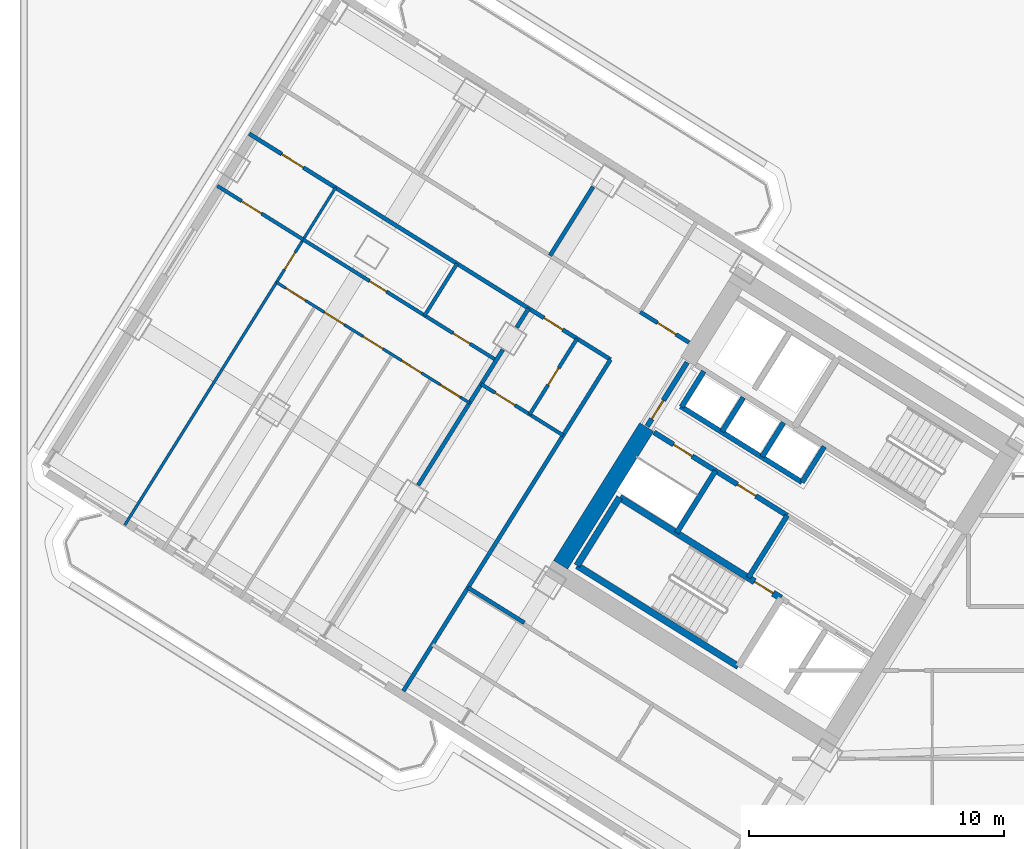
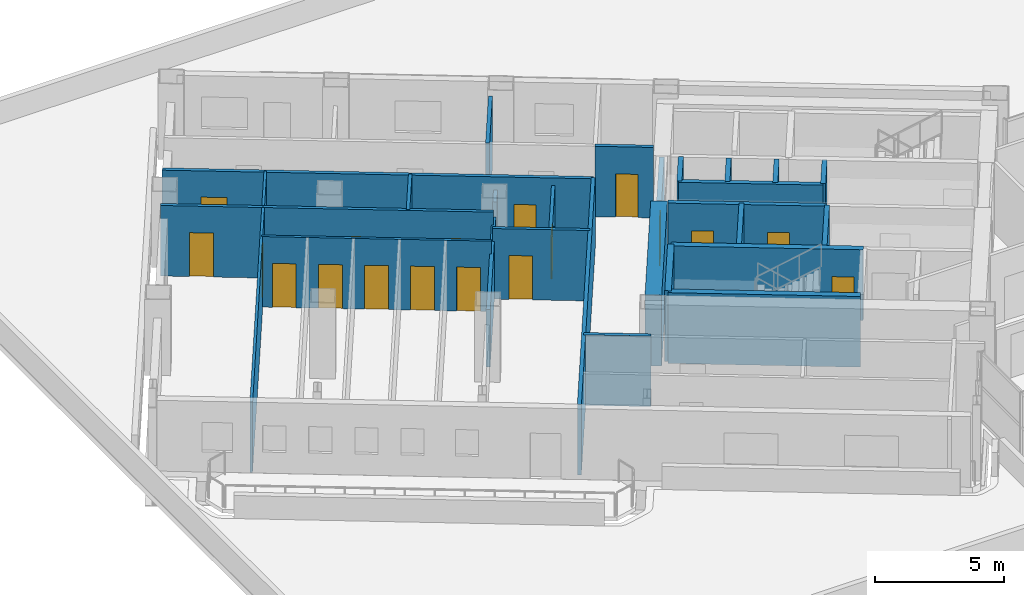
# One storey, part 16 of 28: 27 walls, 18 doors, 18 openings.
"""IFC4 building model written with IfcOpenShell, lengths in metres."""

from ifc_helpers import new_model, si_unit, direction, frame, frame_2d, origin, place, context, subcontext, project, spatial, rectangle, extrude, source, transform, mapped, material, layer, layer_set, type_object, element, fill, save


model = new_model("IFC4")

# Units and contexts
model_context = context("Model", 3, precision=1e-05, world=origin(), true_north=direction((0.0, 1.0)))
body_context = subcontext(model_context, "Body", "Model", "MODEL_VIEW")
ifc_project = project(units=[si_unit("LENGTHUNIT", "METRE"), si_unit("AREAUNIT", "SQUARE_METRE"), si_unit("VOLUMEUNIT", "CUBIC_METRE"), si_unit("PLANEANGLEUNIT", "RADIAN"), si_unit("MASSUNIT", "GRAM", prefix="KILO")], contexts=[model_context])

# Site, building, storey
site_placement = place(None, origin())
site = spatial("IfcSite", under=ifc_project, at=site_placement, CompositionType="ELEMENT")
building_placement = place(site_placement, origin())
building = spatial("IfcBuilding", under=site, at=building_placement, Name="Tlacorven Tower", CompositionType="ELEMENT")
storey_placement = place(building_placement, frame((0.0, 0.0, 24.0)))
storey = spatial("IfcBuildingStorey", under=building, at=storey_placement, Name="L05", CompositionType="ELEMENT", Elevation=24.0)

# Wall
ifc_material_1 = material(Name="Concrete C60/75", Category="concrete")
ifc_layer_1 = layer(ifc_material_1, 0.64990234375)
ifc_layer_set_1 = layer_set([ifc_layer_1], Name="Concrete C60/75")
wall_type_1 = type_object("IfcWallType", Name="WL-COR-650", PredefinedType="SHEAR", material=ifc_layer_set_1)
wall_1_placement = place(storey_placement, frame((26.006591796875, 24.975830078125, 0.0), z_axis=(0.0, 0.0, 1.0), x_axis=(-0.529916319127, -0.848049936456, 0.0)))
element("IfcWall", 1, at=wall_1_placement, inside=storey, type_object=wall_type_1, Name="L05 W core end wall E2.2", PredefinedType="SHEAR", context=body_context, shape_type="SweptSolid", body=[
    extrude(rectangle(XDim=6.375, YDim=0.64990234375, at=frame_2d((3.1875, 0.0))), origin(), (0.0, 0.0, 1.0), 3.35009765625),
])

# Wall, opening, door
ifc_material_2 = material(Name="Gypsum plasterboard acoustic partition", Category="gypsum")
ifc_layer_2 = layer(ifc_material_2, 0.159912109375)
ifc_layer_set_2 = layer_set([ifc_layer_2], Name="Gypsum plasterboard acoustic partition")
wall_type_2 = type_object("IfcWallType", Name="WL-DEM-160", PredefinedType="PARTITIONING", material=ifc_layer_set_2)
wall_2_placement = place(storey_placement, frame((27.668701171875, 28.300048828125, 0.0), z_axis=(0.0, 0.0, 1.0), x_axis=(-0.848040823168, 0.52993090327, 0.0)))
wall_2 = element("IfcWall", 2, at=wall_2_placement, inside=storey, type_object=wall_type_2, Name="L05 partition 47", PredefinedType="PARTITIONING", context=body_context, shape_type="SweptSolid", body=[
    extrude(rectangle(XDim=2.2578125, YDim=0.159912109375, at=frame_2d((1.12890625, 0.0))), origin(), (0.0, 0.0, 1.0), 3.340087890625),
])
opening_1_placement = place(wall_2_placement, frame((0.597900390625, 0.0, 0.0)))
opening_1 = element("IfcOpeningElement", 3, at=opening_1_placement, cuts=wall_2, Name="Opening D19", PredefinedType="OPENING", context=body_context, shape_type="SweptSolid", body=[
    extrude(rectangle(XDim=0.860107421875, YDim=2.050048828125, at=frame_2d((0.43017578125, 1.02490234375))), frame((0.0, 0.08984375, 0.0), z_axis=(0.0, -1.0, 0.0), x_axis=(1.0, 0.0, 0.0)), (0.0, 0.0, 1.0), 0.179931640625),
])
ifc_material_3 = material(Name="Fire-rated steel door assembly", Category="steel")
door_type_1 = type_object("IfcDoorType", Name="DR-RSR-FD60-0860", OperationType="NOTDEFINED", PredefinedType="DOOR", material=ifc_material_3)
shared_shape_1 = source(origin(), body_context, "Body", "SweptSolid", [
    extrude(rectangle(XDim=0.860107421875, YDim=2.050048828125, at=frame_2d((0.43017578125, 1.02490234375))), frame((0.0, 0.02490234375, 0.0), z_axis=(0.0, -1.0, 0.0), x_axis=(1.0, 0.0, 0.0)), (0.0, 0.0, 1.0), 0.050048828125),
])
door_1_placement = place(opening_1_placement, frame((0.860107421875, 0.0, 0.0), z_axis=(0.0, 0.0, 1.0), x_axis=(-1.0, 0.0, 0.0)))
door_1 = element("IfcDoor", 4, at=door_1_placement, inside=storey, type_object=door_type_1, Name="L05 door 019", OperationType="SINGLE_SWING_LEFT", OverallHeight=2.050048828125, OverallWidth=0.860107421875, PredefinedType="DOOR", context=body_context, shape_type="MappedRepresentation", body=[
    mapped(shared_shape_1, transform((0.0, 0.0, 0.0), scale=1.0)),
])
fill(opening_1, door_1)

# Walls
wall_3_placement = place(storey_placement, frame((21.20556640625, 17.29248046875, 0.0), z_axis=(0.0, 0.0, 1.0), x_axis=(-0.848050851465, 0.529914854792, 0.0)))
element("IfcWall", 5, at=wall_3_placement, inside=storey, type_object=wall_type_2, Name="L05 partition 48", PredefinedType="PARTITIONING", context=body_context, shape_type="SweptSolid", body=[
    extrude(rectangle(XDim=2.60986328125, YDim=0.159912109375, at=frame_2d((1.304931640625, 0.0))), origin(), (0.0, 0.0, 1.0), 3.340087890625),
])
wall_4_placement = place(storey_placement, frame((24.587890625, 27.630859375, 0.0), z_axis=(0.0, 0.0, 1.0), x_axis=(-0.529914586043, -0.848051019396, 0.0)))
element("IfcWall", 6, at=wall_4_placement, inside=storey, type_object=wall_type_2, Name="L05 partition 50", PredefinedType="PARTITIONING", context=body_context, shape_type="SweptSolid", body=[
    extrude(rectangle(XDim=15.349609375, YDim=0.159912109375, at=frame_2d((7.6748046875, 0.0))), origin(), (0.0, 0.0, 1.0), 3.340087890625),
])

# Wall, openings, doors
wall_5_placement = place(storey_placement, frame((24.587890625, 27.630859375, 0.0), z_axis=(0.0, 0.0, 1.0), x_axis=(-0.848041752158, 0.529929416617, 0.0)))
wall_5 = element("IfcWall", 7, at=wall_5_placement, inside=storey, type_object=wall_type_2, Name="L05 Wing W Corridor North Wall", PredefinedType="PARTITIONING", context=body_context, shape_type="SweptSolid", body=[
    extrude(rectangle(XDim=16.72998046875, YDim=0.159912109375, at=frame_2d((8.364990234375, 0.0))), origin(), (0.0, 0.0, 1.0), 3.340087890625),
])
opening_2_placement = place(wall_5_placement, frame((2.219970703125, 0.0, 0.0)))
opening_2 = element("IfcOpeningElement", 8, at=opening_2_placement, cuts=wall_5, Name="Opening D19", PredefinedType="OPENING", context=body_context, shape_type="SweptSolid", body=[
    extrude(rectangle(XDim=0.860107421875, YDim=2.050048828125, at=frame_2d((0.43017578125, 1.02490234375))), frame((0.0, 0.08984375, 0.0), z_axis=(0.0, -1.0, 0.0), x_axis=(1.0, 0.0, 0.0)), (0.0, 0.0, 1.0), 0.179931640625),
])
opening_3_placement = place(wall_5_placement, frame((14.219970703125, 0.0, 0.0)))
opening_3 = element("IfcOpeningElement", 9, at=opening_3_placement, cuts=wall_5, Name="Opening D11", PredefinedType="OPENING", context=body_context, shape_type="SweptSolid", body=[
    extrude(rectangle(XDim=1.0, YDim=2.10009765625, at=frame_2d((0.5, 1.050048828125))), frame((0.0, 0.08984375, 0.0), z_axis=(0.0, -1.0, 0.0), x_axis=(1.0, 0.0, 0.0)), (0.0, 0.0, 1.0), 0.179931640625),
])
door_2_placement = place(opening_2_placement, origin())
door_2 = element("IfcDoor", 10, at=door_2_placement, inside=storey, type_object=door_type_1, Name="L05 door 021", OperationType="SINGLE_SWING_LEFT", OverallHeight=2.050048828125, OverallWidth=0.860107421875, PredefinedType="DOOR", context=body_context, shape_type="MappedRepresentation", body=[
    mapped(shared_shape_1, transform((0.0, 0.0, 0.0), scale=1.0)),
])
fill(opening_2, door_2)
door_type_2 = type_object("IfcDoorType", Name="DR-FLT-FD60-1000", OperationType="NOTDEFINED", PredefinedType="DOOR", material=ifc_material_3)
shared_shape_2 = source(origin(), body_context, "Body", "SweptSolid", [
    extrude(rectangle(XDim=1.0, YDim=2.10009765625, at=frame_2d((0.5, 1.050048828125))), frame((0.0, 0.02490234375, 0.0), z_axis=(0.0, -1.0, 0.0), x_axis=(1.0, 0.0, 0.0)), (0.0, 0.0, 1.0), 0.050048828125),
])
door_3_placement = place(opening_3_placement, origin())
door_3 = element("IfcDoor", 11, at=door_3_placement, inside=storey, type_object=door_type_2, Name="L05 door 025", OperationType="SINGLE_SWING_RIGHT", OverallHeight=2.10009765625, OverallWidth=1.0, PredefinedType="DOOR", context=body_context, shape_type="MappedRepresentation", body=[
    mapped(shared_shape_2, transform((0.0, 0.0, 0.0), scale=1.0)),
])
fill(opening_3, door_3)

# Walls
wall_6_placement = place(storey_placement, frame((21.3740234375, 29.639404296875, 0.0), z_axis=(0.0, 0.0, 1.0), x_axis=(-0.529974231203, -0.848013746505, 0.0)))
element("IfcWall", 12, at=wall_6_placement, inside=storey, type_object=wall_type_2, Name="L05 WN Demising Wall 1", PredefinedType="PARTITIONING", context=body_context, shape_type="SweptSolid", body=[
    extrude(rectangle(XDim=0.88818359375, YDim=0.159912109375, at=frame_2d((0.444091796875, 0.0))), origin(), (0.0, 0.0, 1.0), 2.72509765625),
])
wall_7_placement = place(storey_placement, frame((20.360595703125, 28.017822265625, 0.0), z_axis=(0.0, 0.0, 1.0), x_axis=(-0.529915015264, -0.848050751193, 0.0)))
element("IfcWall", 13, at=wall_7_placement, inside=storey, type_object=wall_type_2, Name="L05 WN Demising Wall 1", PredefinedType="PARTITIONING", context=body_context, shape_type="SweptSolid", body=[
    extrude(rectangle(XDim=6.27587890625, YDim=0.159912109375, at=frame_2d((3.137939453125, 0.0))), origin(), (0.0, 0.0, 1.0), 2.72509765625),
])
wall_8_placement = place(storey_placement, frame((23.90087890625, 34.413818359375, 0.0), z_axis=(0.0, 0.0, 1.0), x_axis=(-0.529930102756, -0.848041323399, 0.0)))
element("IfcWall", 14, at=wall_8_placement, inside=storey, type_object=wall_type_2, Name="L05 partition 67", PredefinedType="PARTITIONING", context=body_context, shape_type="SweptSolid", body=[
    extrude(rectangle(XDim=3.18798828125, YDim=0.159912109375, at=frame_2d((1.593994140625, 0.0))), origin(), (0.0, 0.0, 1.0), 3.340087890625),
])

# Wall, opening, door
ifc_material_4 = material(Name="Gypsum plasterboard partition", Category="gypsum")
ifc_layer_3 = layer(ifc_material_4, 0.110107421875)
ifc_layer_set_3 = layer_set([ifc_layer_3], Name="Gypsum plasterboard partition")
wall_type_3 = type_object("IfcWallType", Name="WL-INT-110", PredefinedType="PARTITIONING", material=ifc_layer_set_3)
wall_9_placement = place(storey_placement, frame((13.79248046875, 34.376708984375, 0.0), z_axis=(0.0, 0.0, 1.0), x_axis=(-0.529924475241, -0.848044839935, 0.0)))
wall_9 = element("IfcWall", 15, at=wall_9_placement, inside=storey, type_object=wall_type_3, Name="L05 partition 57", PredefinedType="PARTITIONING", context=body_context, shape_type="SweptSolid", body=[
    extrude(rectangle(XDim=15.619873046875, YDim=0.110107421875, at=frame_2d((7.81005859375, 0.0))), origin(), (0.0, 0.0, 1.0), 3.340087890625),
])
opening_4_placement = place(wall_9_placement, frame((3.0, 0.0, 0.0)))
opening_4 = element("IfcOpeningElement", 16, at=opening_4_placement, cuts=wall_9, Name="Opening D22", PredefinedType="OPENING", context=body_context, shape_type="SweptSolid", body=[
    extrude(rectangle(XDim=0.780029296875, YDim=2.050048828125, at=frame_2d((0.39013671875, 1.02490234375))), frame((0.0, 0.06494140625, 0.0), z_axis=(0.0, -1.0, 0.0), x_axis=(1.0, 0.0, 0.0)), (0.0, 0.0, 1.0), 0.130126953125),
])
ifc_material_5 = material(Name="Powder-coated aluminium and timber door", Category="wood")
door_type_3 = type_object("IfcDoorType", Name="DR-INT-WET-0780", OperationType="NOTDEFINED", PredefinedType="DOOR", material=ifc_material_5)
shared_shape_3 = source(origin(), body_context, "Body", "SweptSolid", [
    extrude(rectangle(XDim=0.780029296875, YDim=2.050048828125, at=frame_2d((0.39013671875, 1.02490234375))), frame((0.0, 0.02490234375, 0.0), z_axis=(0.0, -1.0, 0.0), x_axis=(1.0, 0.0, 0.0)), (0.0, 0.0, 1.0), 0.050048828125),
])
door_4_placement = place(opening_4_placement, origin())
door_4 = element("IfcDoor", 17, at=door_4_placement, inside=storey, type_object=door_type_3, Name="L05 door 027", OperationType="SINGLE_SWING_RIGHT", OverallHeight=2.050048828125, OverallWidth=0.780029296875, PredefinedType="DOOR", context=body_context, shape_type="MappedRepresentation", body=[
    mapped(shared_shape_3, transform((0.0, 0.0, 0.0), scale=1.0)),
])
fill(opening_4, door_4)

# Wall, openings, doors
wall_10_placement = place(storey_placement, frame((19.052978515625, 25.9248046875, 0.0), z_axis=(0.0, 0.0, 1.0), x_axis=(-0.848051995289, 0.529913024266, 0.0)))
wall_10 = element("IfcWall", 18, at=wall_10_placement, inside=storey, type_object=wall_type_3, Name="L05 partition 62", PredefinedType="PARTITIONING", context=body_context, shape_type="SweptSolid", body=[
    extrude(rectangle(XDim=8.940185546875, YDim=0.110107421875, at=frame_2d((4.47021484375, 0.0))), origin(), (0.0, 0.0, 1.0), 3.340087890625),
])
opening_5_placement = place(wall_10_placement, frame((0.43408203125, 0.0, 0.0)))
opening_5 = element("IfcOpeningElement", 19, at=opening_5_placement, cuts=wall_10, Name="Opening D12", PredefinedType="OPENING", context=body_context, shape_type="SweptSolid", body=[
    extrude(rectangle(XDim=0.919921875, YDim=2.080078125, at=frame_2d((0.4599609375, 1.0400390625))), frame((0.0, 0.06494140625, 0.0), z_axis=(0.0, -1.0, 0.0), x_axis=(1.0, 0.0, 0.0)), (0.0, 0.0, 1.0), 0.130126953125),
])
opening_6_placement = place(wall_10_placement, frame((2.221923828125, 0.0, 0.0)))
opening_6 = element("IfcOpeningElement", 20, at=opening_6_placement, cuts=wall_10, Name="Opening D12", PredefinedType="OPENING", context=body_context, shape_type="SweptSolid", body=[
    extrude(rectangle(XDim=0.919921875, YDim=2.080078125, at=frame_2d((0.4599609375, 1.0400390625))), frame((0.0, 0.06494140625, 0.0), z_axis=(0.0, -1.0, 0.0), x_axis=(1.0, 0.0, 0.0)), (0.0, 0.0, 1.0), 0.130126953125),
])
opening_7_placement = place(wall_10_placement, frame((4.010009765625, 0.0, 0.0)))
opening_7 = element("IfcOpeningElement", 21, at=opening_7_placement, cuts=wall_10, Name="Opening D12", PredefinedType="OPENING", context=body_context, shape_type="SweptSolid", body=[
    extrude(rectangle(XDim=0.919921875, YDim=2.080078125, at=frame_2d((0.4599609375, 1.0400390625))), frame((0.0, 0.06494140625, 0.0), z_axis=(0.0, -1.0, 0.0), x_axis=(1.0, 0.0, 0.0)), (0.0, 0.0, 1.0), 0.130126953125),
])
opening_8_placement = place(wall_10_placement, frame((5.798095703125, 0.0, 0.0)))
opening_8 = element("IfcOpeningElement", 22, at=opening_8_placement, cuts=wall_10, Name="Opening D12", PredefinedType="OPENING", context=body_context, shape_type="SweptSolid", body=[
    extrude(rectangle(XDim=0.919921875, YDim=2.080078125, at=frame_2d((0.4599609375, 1.0400390625))), frame((0.0, 0.06494140625, 0.0), z_axis=(0.0, -1.0, 0.0), x_axis=(1.0, 0.0, 0.0)), (0.0, 0.0, 1.0), 0.130126953125),
])
opening_9_placement = place(wall_10_placement, frame((7.5859375, 0.0, 0.0)))
opening_9 = element("IfcOpeningElement", 23, at=opening_9_placement, cuts=wall_10, Name="Opening D12", PredefinedType="OPENING", context=body_context, shape_type="SweptSolid", body=[
    extrude(rectangle(XDim=0.919921875, YDim=2.080078125, at=frame_2d((0.4599609375, 1.0400390625))), frame((0.0, 0.06494140625, 0.0), z_axis=(0.0, -1.0, 0.0), x_axis=(1.0, 0.0, 0.0)), (0.0, 0.0, 1.0), 0.130126953125),
])
door_type_4 = type_object("IfcDoorType", Name="DR-INT-ROOM-0920", OperationType="NOTDEFINED", PredefinedType="DOOR", material=ifc_material_5)
shared_shape_4 = source(origin(), body_context, "Body", "SweptSolid", [
    extrude(rectangle(XDim=0.919921875, YDim=2.080078125, at=frame_2d((0.4599609375, 1.0400390625))), frame((0.0, 0.02490234375, 0.0), z_axis=(0.0, -1.0, 0.0), x_axis=(1.0, 0.0, 0.0)), (0.0, 0.0, 1.0), 0.050048828125),
])
door_5_placement = place(opening_5_placement, origin())
door_5 = element("IfcDoor", 24, at=door_5_placement, inside=storey, type_object=door_type_4, Name="L05 door 030", OperationType="SINGLE_SWING_LEFT", OverallHeight=2.080078125, OverallWidth=0.919921875, PredefinedType="DOOR", context=body_context, shape_type="MappedRepresentation", body=[
    mapped(shared_shape_4, transform((0.0, 0.0, 0.0), scale=1.0)),
])
fill(opening_5, door_5)
door_6_placement = place(opening_6_placement, origin())
door_6 = element("IfcDoor", 25, at=door_6_placement, inside=storey, type_object=door_type_4, Name="L05 door 031", OperationType="SINGLE_SWING_RIGHT", OverallHeight=2.080078125, OverallWidth=0.919921875, PredefinedType="DOOR", context=body_context, shape_type="MappedRepresentation", body=[
    mapped(shared_shape_4, transform((0.0, 0.0, 0.0), scale=1.0)),
])
fill(opening_6, door_6)
door_7_placement = place(opening_7_placement, origin())
door_7 = element("IfcDoor", 26, at=door_7_placement, inside=storey, type_object=door_type_4, Name="L05 door 032", OperationType="SINGLE_SWING_LEFT", OverallHeight=2.080078125, OverallWidth=0.919921875, PredefinedType="DOOR", context=body_context, shape_type="MappedRepresentation", body=[
    mapped(shared_shape_4, transform((0.0, 0.0, 0.0), scale=1.0)),
])
fill(opening_7, door_7)
door_8_placement = place(opening_8_placement, origin())
door_8 = element("IfcDoor", 27, at=door_8_placement, inside=storey, type_object=door_type_4, Name="L05 door 033", OperationType="SINGLE_SWING_RIGHT", OverallHeight=2.080078125, OverallWidth=0.919921875, PredefinedType="DOOR", context=body_context, shape_type="MappedRepresentation", body=[
    mapped(shared_shape_4, transform((0.0, 0.0, 0.0), scale=1.0)),
])
fill(opening_8, door_8)
door_9_placement = place(opening_9_placement, origin())
door_9 = element("IfcDoor", 28, at=door_9_placement, inside=storey, type_object=door_type_4, Name="L05 door 034", OperationType="SINGLE_SWING_LEFT", OverallHeight=2.080078125, OverallWidth=0.919921875, PredefinedType="DOOR", context=body_context, shape_type="MappedRepresentation", body=[
    mapped(shared_shape_4, transform((0.0, 0.0, 0.0), scale=1.0)),
])
fill(opening_9, door_9)

# Wall, opening, door
ifc_material_6 = material(Name="Moisture-resistant gypsum plumbing wall", Category="gypsum")
ifc_layer_4 = layer(ifc_material_6, 0.139892578125)
ifc_layer_set_4 = layer_set([ifc_layer_4], Name="Moisture-resistant gypsum plumbing wall")
wall_type_4 = type_object("IfcWallType", Name="WL-PLM-140", PredefinedType="PLUMBINGWALL", material=ifc_layer_set_4)
wall_11_placement = place(storey_placement, frame((22.72802734375, 24.654296875, 0.0), z_axis=(0.0, 0.0, 1.0), x_axis=(-0.848059820872, 0.529900500304, 0.0)))
wall_11 = element("IfcWall", 29, at=wall_11_placement, inside=storey, type_object=wall_type_4, Name="L05 partition 55", PredefinedType="PLUMBINGWALL", context=body_context, shape_type="SweptSolid", body=[
    extrude(rectangle(XDim=3.7900390625, YDim=0.139892578125, at=frame_2d((1.89501953125, 0.0))), origin(), (0.0, 0.0, 1.0), 3.340087890625),
])
opening_10_placement = place(wall_11_placement, frame((2.22998046875, 0.0, 0.0)))
opening_10 = element("IfcOpeningElement", 30, at=opening_10_placement, cuts=wall_11, Name="Opening D12", PredefinedType="OPENING", context=body_context, shape_type="SweptSolid", body=[
    extrude(rectangle(XDim=0.919921875, YDim=2.080078125, at=frame_2d((0.4599609375, 1.0400390625))), frame((0.0, 0.080078125, 0.0), z_axis=(0.0, -1.0, 0.0), x_axis=(1.0, 0.0, 0.0)), (0.0, 0.0, 1.0), 0.159912109375),
])
door_10_placement = place(opening_10_placement, origin())
door_10 = element("IfcDoor", 31, at=door_10_placement, inside=storey, type_object=door_type_4, Name="L05 door 022", OperationType="SINGLE_SWING_LEFT", OverallHeight=2.080078125, OverallWidth=0.919921875, PredefinedType="DOOR", context=body_context, shape_type="MappedRepresentation", body=[
    mapped(shared_shape_4, transform((0.0, 0.0, 0.0), scale=1.0)),
])
fill(opening_10, door_10)

wall_12_placement = place(storey_placement, frame((23.2734375, 28.452392578125, 0.0), z_axis=(0.0, 0.0, 1.0), x_axis=(-0.529867639402, -0.848080352747, 0.0)))
wall_12 = element("IfcWall", 32, at=wall_12_placement, inside=storey, type_object=wall_type_4, Name="L05 partition 56", PredefinedType="PLUMBINGWALL", context=body_context, shape_type="SweptSolid", body=[
    extrude(rectangle(XDim=3.510009765625, YDim=0.139892578125, at=frame_2d((1.7548828125, 0.0))), origin(), (0.0, 0.0, 1.0), 2.9951171875),
])
opening_11_placement = place(wall_12_placement, frame((1.364990234375, 0.0, 0.0)))
opening_11 = element("IfcOpeningElement", 33, at=opening_11_placement, cuts=wall_12, Name="Opening D22", PredefinedType="OPENING", context=body_context, shape_type="SweptSolid", body=[
    extrude(rectangle(XDim=0.780029296875, YDim=2.050048828125, at=frame_2d((0.39013671875, 1.02490234375))), frame((0.0, 0.080078125, 0.0), z_axis=(0.0, -1.0, 0.0), x_axis=(1.0, 0.0, 0.0)), (0.0, 0.0, 1.0), 0.159912109375),
])
door_11_placement = place(opening_11_placement, origin())
door_11 = element("IfcDoor", 34, at=door_11_placement, inside=storey, type_object=door_type_3, Name="L05 door 023", OperationType="SINGLE_SWING_RIGHT", OverallHeight=2.050048828125, OverallWidth=0.780029296875, PredefinedType="DOOR", context=body_context, shape_type="MappedRepresentation", body=[
    mapped(shared_shape_3, transform((0.0, 0.0, 0.0), scale=1.0)),
])
fill(opening_11, door_11)

wall_13_placement = place(storey_placement, frame((12.5205078125, 32.341552734375, 0.0), z_axis=(0.0, 0.0, 1.0), x_axis=(-0.848043100782, 0.52992725842, 0.0)))
wall_13 = element("IfcWall", 35, at=wall_13_placement, inside=storey, type_object=wall_type_4, Name="L05 partition 59", PredefinedType="PLUMBINGWALL", context=body_context, shape_type="SweptSolid", body=[
    extrude(rectangle(XDim=3.97998046875, YDim=0.139892578125, at=frame_2d((1.989990234375, 0.0))), origin(), (0.0, 0.0, 1.0), 3.340087890625),
])
opening_12_placement = place(wall_13_placement, frame((1.929931640625, 0.0, 0.0)))
opening_12 = element("IfcOpeningElement", 36, at=opening_12_placement, cuts=wall_13, Name="Opening D12", PredefinedType="OPENING", context=body_context, shape_type="SweptSolid", body=[
    extrude(rectangle(XDim=0.919921875, YDim=2.080078125, at=frame_2d((0.4599609375, 1.0400390625))), frame((0.0, 0.080078125, 0.0), z_axis=(0.0, -1.0, 0.0), x_axis=(1.0, 0.0, 0.0)), (0.0, 0.0, 1.0), 0.159912109375),
])
door_12_placement = place(opening_12_placement, origin())
door_12 = element("IfcDoor", 37, at=door_12_placement, inside=storey, type_object=door_type_4, Name="L05 door 026", OperationType="SINGLE_SWING_LEFT", OverallHeight=2.080078125, OverallWidth=0.919921875, PredefinedType="DOOR", context=body_context, shape_type="MappedRepresentation", body=[
    mapped(shared_shape_4, transform((0.0, 0.0, 0.0), scale=1.0)),
])
fill(opening_12, door_12)

# Wall, openings, doors
wall_14_placement = place(storey_placement, frame((20.10205078125, 27.60400390625, 0.0), z_axis=(0.0, 0.0, 1.0), x_axis=(-0.848044326704, 0.52992529657, 0.0)))
wall_14 = element("IfcWall", 38, at=wall_14_placement, inside=storey, type_object=wall_type_4, Name="L05 partition 60", PredefinedType="PLUMBINGWALL", context=body_context, shape_type="SweptSolid", body=[
    extrude(rectangle(XDim=8.93994140625, YDim=0.139892578125, at=frame_2d((4.469970703125, 0.0))), origin(), (0.0, 0.0, 1.0), 3.340087890625),
])
opening_13_placement = place(wall_14_placement, frame((5.08740234375, 0.0, 0.0)))
opening_13 = element("IfcOpeningElement", 39, at=opening_13_placement, cuts=wall_14, Name="Opening D22", PredefinedType="OPENING", context=body_context, shape_type="SweptSolid", body=[
    extrude(rectangle(XDim=0.780029296875, YDim=2.050048828125, at=frame_2d((0.39013671875, 1.02490234375))), frame((0.0, 0.080078125, 0.0), z_axis=(0.0, -1.0, 0.0), x_axis=(1.0, 0.0, 0.0)), (0.0, 0.0, 1.0), 0.159912109375),
])
opening_14_placement = place(wall_14_placement, frame((1.217529296875, 0.0, 0.0)))
opening_14 = element("IfcOpeningElement", 40, at=opening_14_placement, cuts=wall_14, Name="Opening D22", PredefinedType="OPENING", context=body_context, shape_type="SweptSolid", body=[
    extrude(rectangle(XDim=0.780029296875, YDim=2.050048828125, at=frame_2d((0.39013671875, 1.02490234375))), frame((0.0, 0.080078125, 0.0), z_axis=(0.0, -1.0, 0.0), x_axis=(1.0, 0.0, 0.0)), (0.0, 0.0, 1.0), 0.159912109375),
])
door_13_placement = place(opening_13_placement, origin())
door_13 = element("IfcDoor", 41, at=door_13_placement, inside=storey, type_object=door_type_3, Name="L05 door 028", OperationType="SINGLE_SWING_LEFT", OverallHeight=2.050048828125, OverallWidth=0.780029296875, PredefinedType="DOOR", context=body_context, shape_type="MappedRepresentation", body=[
    mapped(shared_shape_3, transform((0.0, 0.0, 0.0), scale=1.0)),
])
fill(opening_13, door_13)
door_14_placement = place(opening_14_placement, origin())
door_14 = element("IfcDoor", 42, at=door_14_placement, inside=storey, type_object=door_type_3, Name="L05 door 029", OperationType="SINGLE_SWING_RIGHT", OverallHeight=2.050048828125, OverallWidth=0.780029296875, PredefinedType="DOOR", context=body_context, shape_type="MappedRepresentation", body=[
    mapped(shared_shape_3, transform((0.0, 0.0, 0.0), scale=1.0)),
])
fill(opening_14, door_14)

# Walls
wall_15_placement = place(storey_placement, frame((18.562744140625, 31.39599609375, 0.0), z_axis=(0.0, 0.0, 1.0), x_axis=(-0.530008045701, -0.847992612876, 0.0)))
element("IfcWall", 43, at=wall_15_placement, inside=storey, type_object=wall_type_4, Name="L05 partition 61", PredefinedType="PLUMBINGWALL", context=body_context, shape_type="SweptSolid", body=[
    extrude(rectangle(XDim=2.41015625, YDim=0.139892578125, at=frame_2d((1.205078125, 0.0))), origin(), (0.0, 0.0, 1.0), 3.340087890625),
])
ifc_material_7 = material(Name="Concrete C40/50", Category="concrete")
ifc_layer_5 = layer(ifc_material_7, 0.199951171875)
ifc_layer_set_5 = layer_set([ifc_layer_5], Name="Concrete C40/50")
wall_type_5 = type_object("IfcWallType", Name="WL-SHF-200", PredefinedType="STANDARD", material=ifc_layer_set_5)
wall_16_placement = place(storey_placement, frame((32.108154296875, 22.81396484375, 0.0), z_axis=(0.0, 0.0, 1.0), x_axis=(-0.848042229521, 0.529928652696, 0.0)))
element("IfcWall", 44, at=wall_16_placement, inside=storey, type_object=wall_type_5, Name="L05 partition 11", PredefinedType="STANDARD", context=body_context, shape_type="SweptSolid", body=[
    extrude(rectangle(XDim=5.6201171875, YDim=0.199951171875, at=frame_2d((2.81005859375, 0.0))), origin(), (0.0, 0.0, 1.0), 3.340087890625),
])
wall_17_placement = place(storey_placement, frame((32.982421875, 24.21337890625, 0.0), z_axis=(0.0, 0.0, 1.0), x_axis=(-0.529839334948, -0.84809803628, 0.0)))
element("IfcWall", 45, at=wall_17_placement, inside=storey, type_object=wall_type_5, Name="L05 partition 12", PredefinedType="STANDARD", context=body_context, shape_type="SweptSolid", body=[
    extrude(rectangle(XDim=1.650146484375, YDim=0.199951171875, at=frame_2d((0.8251953125, 0.0))), origin(), (0.0, 0.0, 1.0), 3.340087890625),
])
wall_18_placement = place(storey_placement, frame((28.250244140625, 27.170166015625, 0.0), z_axis=(0.0, 0.0, 1.0), x_axis=(-0.529905827651, -0.848056492117, 0.0)))
element("IfcWall", 46, at=wall_18_placement, inside=storey, type_object=wall_type_5, Name="L05 partition 13", PredefinedType="STANDARD", context=body_context, shape_type="SweptSolid", body=[
    extrude(rectangle(XDim=1.64990234375, YDim=0.199951171875, at=frame_2d((0.824951171875, 0.0))), origin(), (0.0, 0.0, 1.0), 3.340087890625),
])
for number, where, z_axis, x_axis, name in (
    (47, (31.378662109375, 25.156494140625, 0.0), (0.0, 0.0, 1.0), (-0.529998940003, -0.847998304005, 0.0), "L05 partition 18"),
    (48, (29.80126953125, 26.14208984375, 0.0), (0.0, 0.0, 1.0), (-0.529998940003, -0.847998304005, 0.0), "L05 partition 19"),
):
    element("IfcWall", number, at=place(storey_placement, frame(where, z_axis=z_axis, x_axis=x_axis)), inside=storey, type_object=wall_type_5, Name=name, PredefinedType="STANDARD", context=body_context, shape_type="SweptSolid", body=[
        extrude(rectangle(XDim=1.580078125, YDim=0.199951171875, at=frame_2d((0.7900390625, 0.0))), origin(), (0.0, 0.0, 1.0), 3.340087890625),
    ])
for number, where, z_axis, x_axis, name in (
    (49, (31.525146484375, 21.503662109375, 0.0), (0.0, 0.0, 1.0), (-0.529907497854, -0.848055448493, 0.0), "L05 partition 20"),
    (50, (28.709716796875, 23.26318359375, 0.0), (0.0, 0.0, 1.0), (-0.529907497854, -0.848055448493, 0.0), "L05 partition 21"),
):
    element("IfcWall", number, at=place(storey_placement, frame(where, z_axis=z_axis, x_axis=x_axis)), inside=storey, type_object=wall_type_5, Name=name, PredefinedType="STANDARD", context=body_context, shape_type="SweptSolid", body=[
        extrude(rectangle(XDim=2.8798828125, YDim=0.199951171875, at=frame_2d((1.43994140625, 0.0))), origin(), (0.0, 0.0, 1.0), 3.340087890625),
    ])

# Wall, openings, doors
wall_19_placement = place(storey_placement, frame((31.525146484375, 21.503662109375, 0.0), z_axis=(0.0, 0.0, 1.0), x_axis=(-0.848044998614, 0.529924221305, 0.0)))
wall_19 = element("IfcWall", 51, at=wall_19_placement, inside=storey, type_object=wall_type_5, Name="L05 Core W North Service Wall", PredefinedType="STANDARD", context=body_context, shape_type="SweptSolid", body=[
    extrude(rectangle(XDim=6.16796875, YDim=0.199951171875, at=frame_2d((3.083984375, 0.0))), origin(), (0.0, 0.0, 1.0), 3.340087890625),
])
opening_15_placement = place(wall_19_placement, frame((4.39990234375, 0.0, 0.0)))
opening_15 = element("IfcOpeningElement", 52, at=opening_15_placement, cuts=wall_19, Name="Opening D19", PredefinedType="OPENING", context=body_context, shape_type="SweptSolid", body=[
    extrude(rectangle(XDim=0.860107421875, YDim=2.050048828125, at=frame_2d((0.43017578125, 1.02490234375))), frame((0.0, 0.10986328125, 0.0), z_axis=(0.0, -1.0, 0.0), x_axis=(1.0, 0.0, 0.0)), (0.0, 0.0, 1.0), 0.219970703125),
])
opening_16_placement = place(wall_19_placement, frame((1.449951171875, 0.0, 0.0)))
opening_16 = element("IfcOpeningElement", 53, at=opening_16_placement, cuts=wall_19, Name="Opening D19", PredefinedType="OPENING", context=body_context, shape_type="SweptSolid", body=[
    extrude(rectangle(XDim=0.860107421875, YDim=2.050048828125, at=frame_2d((0.43017578125, 1.02490234375))), frame((0.0, 0.10986328125, 0.0), z_axis=(0.0, -1.0, 0.0), x_axis=(1.0, 0.0, 0.0)), (0.0, 0.0, 1.0), 0.219970703125),
])
door_15_placement = place(opening_15_placement, frame((0.860107421875, 0.0, 0.0), z_axis=(0.0, 0.0, 1.0), x_axis=(-1.0, 0.0, 0.0)))
door_15 = element("IfcDoor", 54, at=door_15_placement, inside=storey, type_object=door_type_1, Name="L05 Electrical Riser Access Door W", OperationType="SINGLE_SWING_RIGHT", OverallHeight=2.050048828125, OverallWidth=0.860107421875, PredefinedType="DOOR", context=body_context, shape_type="MappedRepresentation", body=[
    mapped(shared_shape_1, transform((0.0, 0.0, 0.0), scale=1.0)),
])
fill(opening_15, door_15)
door_16_placement = place(opening_16_placement, frame((0.860107421875, 0.0, 0.0), z_axis=(0.0, 0.0, 1.0), x_axis=(-1.0, 0.0, 0.0)))
door_16 = element("IfcDoor", 55, at=door_16_placement, inside=storey, type_object=door_type_1, Name="L05 Housekeeping Linen Access Door W", OperationType="SINGLE_SWING_LEFT", OverallHeight=2.050048828125, OverallWidth=0.860107421875, PredefinedType="DOOR", context=body_context, shape_type="MappedRepresentation", body=[
    mapped(shared_shape_1, transform((0.0, 0.0, 0.0), scale=1.0)),
])
fill(opening_16, door_16)

# Wall, opening, door
wall_20_placement = place(storey_placement, frame((27.59619140625, 27.52001953125, 0.0), z_axis=(0.0, 0.0, 1.0), x_axis=(-0.529865479138, -0.848081702443, 0.0)))
wall_20 = element("IfcWall", 56, at=wall_20_placement, inside=storey, type_object=wall_type_5, Name="L05 partition 46", PredefinedType="STANDARD", context=body_context, shape_type="SweptSolid", body=[
    extrude(rectangle(XDim=2.9599609375, YDim=0.199951171875, at=frame_2d((1.47998046875, 0.0))), origin(), (0.0, 0.0, 1.0), 3.340087890625),
])
opening_17_placement = place(wall_20_placement, frame((1.760009765625, 0.0, 0.0)))
opening_17 = element("IfcOpeningElement", 57, at=opening_17_placement, cuts=wall_20, Name="Opening D19", PredefinedType="OPENING", context=body_context, shape_type="SweptSolid", body=[
    extrude(rectangle(XDim=0.860107421875, YDim=2.050048828125, at=frame_2d((0.43017578125, 1.02490234375))), frame((0.0, 0.10986328125, 0.0), z_axis=(0.0, -1.0, 0.0), x_axis=(1.0, 0.0, 0.0)), (0.0, 0.0, 1.0), 0.219970703125),
])
door_17_placement = place(opening_17_placement, origin())
door_17 = element("IfcDoor", 58, at=door_17_placement, inside=storey, type_object=door_type_1, Name="L05 door 020", OperationType="SINGLE_SWING_LEFT", OverallHeight=2.050048828125, OverallWidth=0.860107421875, PredefinedType="DOOR", context=body_context, shape_type="MappedRepresentation", body=[
    mapped(shared_shape_1, transform((0.0, 0.0, 0.0), scale=1.0)),
])
fill(opening_17, door_17)

# Wall
ifc_material_8 = material(Name="Concrete C50/60", Category="concrete")
ifc_layer_6 = layer(ifc_material_8, 0.260009765625)
ifc_layer_set_6 = layer_set([ifc_layer_6], Name="Concrete C50/60")
wall_type_6 = type_object("IfcWallType", Name="WL-STW-260", PredefinedType="SHEAR", material=ifc_layer_set_6)
wall_21_placement = place(storey_placement, frame((29.60498046875, 15.581298828125, 0.0), z_axis=(0.0, 0.0, 1.0), x_axis=(-0.848036911448, 0.529937163087, 0.0)))
element("IfcWall", 59, at=wall_21_placement, inside=storey, type_object=wall_type_6, Name="L05 Stair W1 Far Shear Wall", PredefinedType="SHEAR", context=body_context, shape_type="SweptSolid", body=[
    extrude(rectangle(XDim=7.4599609375, YDim=0.260009765625, at=frame_2d((3.72998046875, 0.0))), origin(), (0.0, 0.0, 1.0), 3.35009765625),
])

# Wall, opening, door
wall_22_placement = place(storey_placement, frame((31.279541015625, 18.26123046875, 0.0), z_axis=(0.0, 0.0, 1.0), x_axis=(-0.848051618787, 0.529913626805, 0.0)))
wall_22 = element("IfcWall", 60, at=wall_22_placement, inside=storey, type_object=wall_type_6, Name="L05 Stair W1 Lobby Shear Wall", PredefinedType="SHEAR", context=body_context, shape_type="SweptSolid", body=[
    extrude(rectangle(XDim=7.4599609375, YDim=0.260009765625, at=frame_2d((3.72998046875, 0.0))), origin(), (0.0, 0.0, 1.0), 3.35009765625),
])
opening_18_placement = place(wall_22_placement, frame((0.360107421875, 0.0, 0.0)))
opening_18 = element("IfcOpeningElement", 61, at=opening_18_placement, cuts=wall_22, Name="Opening D19", PredefinedType="OPENING", context=body_context, shape_type="SweptSolid", body=[
    extrude(rectangle(XDim=0.860107421875, YDim=2.050048828125, at=frame_2d((0.43017578125, 1.02490234375))), frame((0.0, 0.14013671875, 0.0), z_axis=(0.0, -1.0, 0.0), x_axis=(1.0, 0.0, 0.0)), (0.0, 0.0, 1.0), 0.280029296875),
])
door_18_placement = place(opening_18_placement, frame((0.860107421875, 0.0, 0.0), z_axis=(0.0, 0.0, 1.0), x_axis=(-1.0, 0.0, 0.0)))
door_18 = element("IfcDoor", 62, at=door_18_placement, inside=storey, type_object=door_type_1, Name="L05 Exit Stair W1 Fire Door", OperationType="SINGLE_SWING_LEFT", OverallHeight=2.050048828125, OverallWidth=0.860107421875, PredefinedType="DOOR", context=body_context, shape_type="MappedRepresentation", body=[
    mapped(shared_shape_1, transform((0.0, 0.0, 0.0), scale=1.0)),
])
fill(opening_18, door_18)

# Wall
wall_23_placement = place(storey_placement, frame((24.944580078125, 22.2197265625, 0.0), z_axis=(0.0, 0.0, 1.0), x_axis=(-0.529908658664, -0.84805472316, 0.0)))
element("IfcWall", 63, at=wall_23_placement, inside=storey, type_object=wall_type_6, Name="L05 Stair W1 East Shear Wall", PredefinedType="SHEAR", context=body_context, shape_type="SweptSolid", body=[
    extrude(rectangle(XDim=3.16015625, YDim=0.260009765625, at=frame_2d((1.580078125, 0.0))), origin(), (0.0, 0.0, 1.0), 3.35009765625),
])

save(model, "model.ifc")
